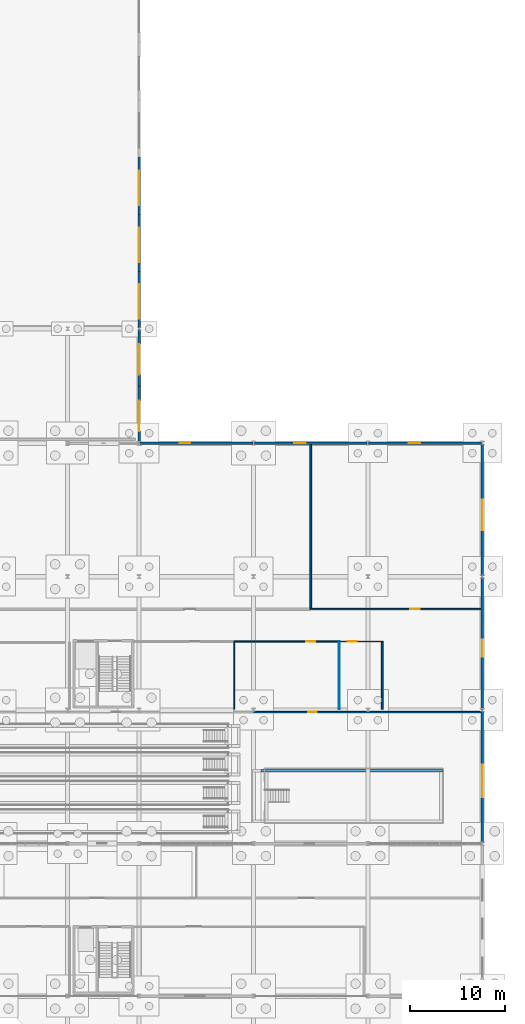
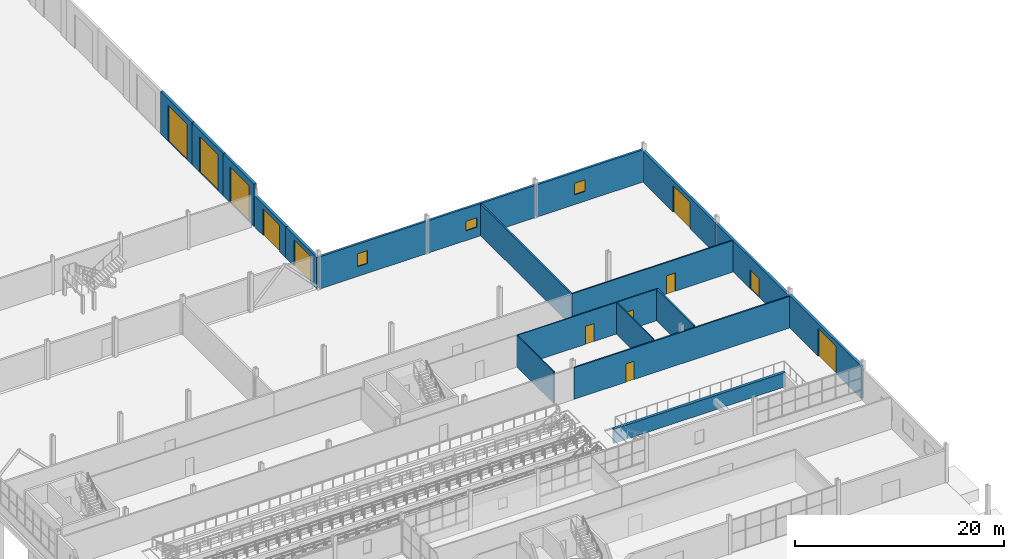
# One storey, part 116 of 136: 20 walls, 12 doors, 3 windows, 15 openings.
"""IFC4 building model written with IfcOpenShell, lengths in metres."""

from ifc_helpers import new_model, si_unit, direction, frame, frame_2d, origin, place, context, subcontext, project, spatial, rectangle, extrude, material, layer, layer_set, type_object, element, fill, save


model = new_model("IFC4")

# Units and contexts
model_context = context("Model", 3, precision=1e-05, world=origin(), true_north=direction((0.0, 1.0)))
body_context = subcontext(model_context, "Body", "Model", "MODEL_VIEW")
ifc_project = project(units=[si_unit("LENGTHUNIT", "METRE"), si_unit("AREAUNIT", "SQUARE_METRE"), si_unit("VOLUMEUNIT", "CUBIC_METRE"), si_unit("PLANEANGLEUNIT", "RADIAN"), si_unit("MASSUNIT", "GRAM", prefix="KILO")], contexts=[model_context])

# Site, building, storey
site_placement = place(None, origin())
site = spatial("IfcSite", under=ifc_project, at=site_placement, CompositionType="ELEMENT")
building_placement = place(site_placement, origin())
building = spatial("IfcBuilding", under=site, at=building_placement, Name="Solvenia Promenade Tram Depot", CompositionType="ELEMENT")
storey_placement = place(building_placement, origin())
storey = spatial("IfcBuildingStorey", under=building, at=storey_placement, Name="L00", CompositionType="ELEMENT", Elevation=0.0)

# Wall
ifc_material_1 = material(Name="Concrete blockwork masonry", Category="masonry")
ifc_layer_1 = layer(ifc_material_1, 0.195068359375, Name="Concrete blockwork masonry", Category="masonry")
ifc_layer_set_1 = layer_set([ifc_layer_1], Name="Concrete blockwork masonry")
wall_type_1 = type_object("IfcWallType", Name="Wall-Fire-195", PredefinedType="PARTITIONING", material=ifc_layer_set_1)
wall_1_placement = place(storey_placement, frame((168.0, 48.60009765625, 0.0), z_axis=(0.0, 0.0, 1.0), x_axis=(0.0, 1.0, 0.0)))
element("IfcWall", 1, at=wall_1_placement, inside=storey, type_object=wall_type_1, Name="Heavy Parts Store Dividing Wall WP-L00-017", PredefinedType="PARTITIONING", context=body_context, shape_type="SweptSolid", body=[
    extrude(rectangle(XDim=17.31982421875, YDim=0.195068359375, at=frame_2d((8.659912109375, 0.0))), origin(), (0.0, 0.0, 1.0), 3.699951171875),
])

# Wall, opening, door
ifc_layer_2 = layer(ifc_material_1, 0.14501953125, Name="Concrete blockwork masonry", Category="masonry")
ifc_layer_set_2 = layer_set([ifc_layer_2], Name="Concrete blockwork masonry")
wall_type_2 = type_object("IfcWallType", Name="Wall-Masonry-145", PredefinedType="PARTITIONING", material=ifc_layer_set_2)
wall_2_placement = place(storey_placement, frame((168.0, 48.60009765625, 0.0), z_axis=(0.0, 0.0, 1.0), x_axis=(1.0, 0.0, 0.0)))
wall_2 = element("IfcWall", 2, at=wall_2_placement, inside=storey, type_object=wall_type_2, Name="Covered Loading Dock Partition WP-L00-018", PredefinedType="PARTITIONING", context=body_context, shape_type="SweptSolid", body=[
    extrude(rectangle(XDim=17.840087890625, YDim=0.14501953125, at=frame_2d((8.919921875, 0.0))), origin(), (0.0, 0.0, 1.0), 3.699951171875),
])
opening_1_placement = place(wall_2_placement, frame((10.44091796875, 0.0, 0.0)))
opening_1 = element("IfcOpeningElement", 3, at=opening_1_placement, cuts=wall_2, Name="Opening DR-11", PredefinedType="OPENING", context=body_context, shape_type="SweptSolid", body=[
    extrude(rectangle(XDim=1.0, YDim=2.139892578125, at=frame_2d((0.5, 1.06982421875))), frame((0.0, 0.08251953125, 0.0), z_axis=(0.0, -1.0, 0.0), x_axis=(1.0, 0.0, 0.0)), (0.0, 0.0, 1.0), 0.1650390625),
])
ifc_material_2 = material(Name="Galvanized painted sheet steel", Category="steel")
door_type_1 = type_object("IfcDoorType", Name="Door-Room-1000x2140", OperationType="NOTDEFINED", PredefinedType="DOOR", material=ifc_material_2)
door_1_placement = place(opening_1_placement, origin())
door_1 = element("IfcDoor", 4, at=door_1_placement, inside=storey, type_object=door_type_1, Name="Door to Covered Loading Dock", OperationType="SINGLE_SWING_LEFT", OverallHeight=2.139892578125, OverallWidth=1.0, PredefinedType="DOOR", context=body_context, shape_type="SweptSolid", body=[
    extrude(rectangle(XDim=1.0, YDim=2.139892578125, at=frame_2d((0.5, 1.06982421875))), frame((0.0, 0.02490234375, 0.0), z_axis=(0.0, -1.0, 0.0), x_axis=(1.0, 0.0, 0.0)), (0.0, 0.0, 1.0), 0.050048828125),
])
fill(opening_1, door_1)

ifc_layer_3 = layer(ifc_material_1, 0.152099609375, Name="Concrete blockwork masonry", Category="masonry")
ifc_layer_set_3 = layer_set([ifc_layer_3], Name="Concrete blockwork masonry")
wall_type_3 = type_object("IfcWallType", Name="Wall-Masonry-152", PredefinedType="PARTITIONING", material=ifc_layer_set_3)
wall_3_placement = place(storey_placement, frame((162.0, 37.800048828125, 0.0), z_axis=(0.0, 0.0, 1.0), x_axis=(1.0, 0.0, 0.0)))
wall_3 = element("IfcWall", 5, at=wall_3_placement, inside=storey, type_object=wall_type_3, Name="Underfloor Wheel Lathe Bay Partition WP-L00-005", PredefinedType="PARTITIONING", context=body_context, shape_type="SweptSolid", body=[
    extrude(rectangle(XDim=23.840087890625, YDim=0.152099609375, at=frame_2d((11.919921875, 0.0))), origin(), (0.0, 0.0, 1.0), 3.699951171875),
])
opening_2_placement = place(wall_3_placement, frame((5.735107421875, 0.0, 0.0)))
opening_2 = element("IfcOpeningElement", 6, at=opening_2_placement, cuts=wall_3, Name="Opening DR-04", PredefinedType="OPENING", context=body_context, shape_type="SweptSolid", body=[
    extrude(rectangle(XDim=0.89990234375, YDim=2.139892578125, at=frame_2d((0.449951171875, 1.06982421875))), frame((0.0, 0.0859375, 0.0), z_axis=(0.0, -1.0, 0.0), x_axis=(1.0, 0.0, 0.0)), (0.0, 0.0, 1.0), 0.172119140625),
])
door_type_2 = type_object("IfcDoorType", Name="Door-Room-900x2140", OperationType="NOTDEFINED", PredefinedType="DOOR", material=ifc_material_2)
door_2_placement = place(opening_2_placement, origin())
door_2 = element("IfcDoor", 7, at=door_2_placement, inside=storey, type_object=door_type_2, Name="Door to Underfloor Wheel Lathe Bay", OperationType="SINGLE_SWING_RIGHT", OverallHeight=2.139892578125, OverallWidth=0.89990234375, PredefinedType="DOOR", context=body_context, shape_type="SweptSolid", body=[
    extrude(rectangle(XDim=0.89990234375, YDim=2.139892578125, at=frame_2d((0.449951171875, 1.06982421875))), frame((0.0, 0.02490234375, 0.0), z_axis=(0.0, -1.0, 0.0), x_axis=(1.0, 0.0, 0.0)), (0.0, 0.0, 1.0), 0.050048828125),
])
fill(opening_2, door_2)

# Walls
ifc_layer_4 = layer(ifc_material_1, 0.175048828125, Name="Concrete blockwork masonry", Category="masonry")
ifc_layer_set_4 = layer_set([ifc_layer_4], Name="Concrete blockwork masonry")
wall_type_4 = type_object("IfcWallType", Name="Wall-Masonry-175", PredefinedType="PARTITIONING", material=ifc_layer_set_4)
wall_4_placement = place(storey_placement, frame((175.5, 38.080078125, 0.0), z_axis=(0.0, 0.0, 1.0), x_axis=(0.0, 1.0, 0.0)))
element("IfcWall", 8, at=wall_4_placement, inside=storey, type_object=wall_type_4, Name="Workshop Accessible WC Dividing Wall WP-L00-013", PredefinedType="PARTITIONING", context=body_context, shape_type="SweptSolid", body=[
    extrude(rectangle(XDim=7.119873046875, YDim=0.175048828125, at=frame_2d((3.56005859375, 0.0))), origin(), (0.0, 0.0, 1.0), 3.699951171875),
])
ifc_material_3 = material(Name="Gypsum board acoustic partition", Category="other")
ifc_layer_5 = layer(ifc_material_3, 0.114013671875, Name="Gypsum board acoustic partition", Category="other")
ifc_layer_set_5 = layer_set([ifc_layer_5], Name="Gypsum board acoustic partition")
wall_type_5 = type_object("IfcWallType", Name="Wall-Part-114", PredefinedType="PARTITIONING", material=ifc_layer_set_5)
wall_5_placement = place(storey_placement, frame((160.0, 38.080078125, 0.0), z_axis=(0.0, 0.0, 1.0), x_axis=(0.0, 1.0, 0.0)))
element("IfcWall", 9, at=wall_5_placement, inside=storey, type_object=wall_type_5, Name="Workshop Male Staff WC Dividing Wall WP-L00-009", PredefinedType="PARTITIONING", context=body_context, shape_type="SweptSolid", body=[
    extrude(rectangle(XDim=7.119873046875, YDim=0.114013671875, at=frame_2d((3.56005859375, 0.0))), origin(), (0.0, 0.0, 1.0), 3.699951171875),
])

# Wall, opening, door
wall_6_placement = place(storey_placement, frame((160.0, 45.199951171875, 0.0), z_axis=(0.0, 0.0, 1.0), x_axis=(1.0, 0.0, 0.0)))
wall_6 = element("IfcWall", 10, at=wall_6_placement, inside=storey, type_object=wall_type_5, Name="Workshop Female Staff WC Partition WP-L00-010", PredefinedType="PARTITIONING", context=body_context, shape_type="SweptSolid", body=[
    extrude(rectangle(XDim=11.0, YDim=0.114013671875, at=frame_2d((5.5, 0.0))), origin(), (0.0, 0.0, 1.0), 3.699951171875),
])
opening_3_placement = place(wall_6_placement, frame((7.530029296875, 0.0, 0.0)))
opening_3 = element("IfcOpeningElement", 11, at=opening_3_placement, cuts=wall_6, Name="Opening DR-07", PredefinedType="OPENING", context=body_context, shape_type="SweptSolid", body=[
    extrude(rectangle(XDim=0.9599609375, YDim=2.10009765625, at=frame_2d((0.47998046875, 1.050048828125))), frame((0.0, 0.06689453125, 0.0), z_axis=(0.0, -1.0, 0.0), x_axis=(1.0, 0.0, 0.0)), (0.0, 0.0, 1.0), 0.134033203125),
])
door_type_3 = type_object("IfcDoorType", Name="Door-Room-960x2100", OperationType="NOTDEFINED", PredefinedType="DOOR", material=ifc_material_2)
door_3_placement = place(opening_3_placement, origin())
door_3 = element("IfcDoor", 12, at=door_3_placement, inside=storey, type_object=door_type_3, Name="Door to Workshop Female Staff WC", OperationType="SINGLE_SWING_LEFT", OverallHeight=2.10009765625, OverallWidth=0.9599609375, PredefinedType="DOOR", context=body_context, shape_type="SweptSolid", body=[
    extrude(rectangle(XDim=0.9599609375, YDim=2.10009765625, at=frame_2d((0.47998046875, 1.050048828125))), frame((0.0, 0.02490234375, 0.0), z_axis=(0.0, -1.0, 0.0), x_axis=(1.0, 0.0, 0.0)), (0.0, 0.0, 1.0), 0.050048828125),
])
fill(opening_3, door_3)

# Wall
ifc_layer_6 = layer(ifc_material_3, 0.097900390625, Name="Gypsum board acoustic partition", Category="other")
ifc_layer_set_6 = layer_set([ifc_layer_6], Name="Gypsum board acoustic partition")
wall_type_6 = type_object("IfcWallType", Name="Wall-Part-98", PredefinedType="PARTITIONING", material=ifc_layer_set_6)
wall_7_placement = place(storey_placement, frame((171.0, 38.080078125, 0.0), z_axis=(0.0, 0.0, 1.0), x_axis=(0.0, 1.0, 0.0)))
element("IfcWall", 13, at=wall_7_placement, inside=storey, type_object=wall_type_6, Name="Workshop Female Staff WC Dividing Wall WP-L00-011", PredefinedType="PARTITIONING", context=body_context, shape_type="SweptSolid", body=[
    extrude(rectangle(XDim=7.119873046875, YDim=0.097900390625, at=frame_2d((3.56005859375, 0.0))), origin(), (0.0, 0.0, 1.0), 3.699951171875),
])

# Wall, opening, door
wall_8_placement = place(storey_placement, frame((171.0, 45.199951171875, 0.0), z_axis=(0.0, 0.0, 1.0), x_axis=(1.0, 0.0, 0.0)))
wall_8 = element("IfcWall", 14, at=wall_8_placement, inside=storey, type_object=wall_type_6, Name="Workshop Accessible WC Partition WP-L00-012", PredefinedType="PARTITIONING", context=body_context, shape_type="SweptSolid", body=[
    extrude(rectangle(XDim=4.5, YDim=0.097900390625, at=frame_2d((2.25, 0.0))), origin(), (0.0, 0.0, 1.0), 3.699951171875),
])
opening_4_placement = place(wall_8_placement, frame((0.885009765625, 0.0, 0.0)))
opening_4 = element("IfcOpeningElement", 15, at=opening_4_placement, cuts=wall_8, Name="Opening DR-08", PredefinedType="OPENING", context=body_context, shape_type="SweptSolid", body=[
    extrude(rectangle(XDim=0.9599609375, YDim=2.159912109375, at=frame_2d((0.47998046875, 1.080078125))), frame((0.0, 0.058837890625, 0.0), z_axis=(0.0, -1.0, 0.0), x_axis=(1.0, 0.0, 0.0)), (0.0, 0.0, 1.0), 0.117919921875),
])
door_type_4 = type_object("IfcDoorType", Name="Door-Room-960x2160", OperationType="NOTDEFINED", PredefinedType="DOOR", material=ifc_material_2)
door_4_placement = place(opening_4_placement, origin())
door_4 = element("IfcDoor", 16, at=door_4_placement, inside=storey, type_object=door_type_4, Name="Door to Workshop Accessible WC", OperationType="SINGLE_SWING_RIGHT", OverallHeight=2.159912109375, OverallWidth=0.9599609375, PredefinedType="DOOR", context=body_context, shape_type="SweptSolid", body=[
    extrude(rectangle(XDim=0.9599609375, YDim=2.159912109375, at=frame_2d((0.47998046875, 1.080078125))), frame((0.0, 0.02490234375, 0.0), z_axis=(0.0, -1.0, 0.0), x_axis=(1.0, 0.0, 0.0)), (0.0, 0.0, 1.0), 0.050048828125),
])
fill(opening_4, door_4)

# Wall
ifc_material_4 = material(Name="Concrete C35/45", Category="concrete")
ifc_layer_7 = layer(ifc_material_4, 0.300048828125, Name="Concrete C35/45", Category="concrete")
ifc_layer_set_7 = layer_set([ifc_layer_7], Name="Concrete C35/45")
wall_type_7 = type_object("IfcWallType", Name="Wall-Pit-300", PredefinedType="USERDEFINED", material=ifc_layer_set_7)
wall_9_placement = place(storey_placement, frame((162.800048828125, 31.64990234375, -1.675048828125), z_axis=(0.0, 0.0, 1.0), x_axis=(1.0, 0.0, 0.0)))
element("IfcWall", 17, at=wall_9_placement, inside=storey, type_object=wall_type_7, Name="Underfloor Wheel Lathe Bay Retaining Wall N", ObjectType="RETAINING WALL", PredefinedType="USERDEFINED", context=body_context, shape_type="SweptSolid", body=[
    extrude(rectangle(XDim=19.0, YDim=0.300048828125, at=frame_2d((9.5, 0.0))), origin(), (0.0, 0.0, 1.0), 1.675048828125),
])

# Wall, opening, door
ifc_layer_8 = layer(ifc_material_4, 0.280029296875, Name="Concrete C35/45", Category="concrete")
ifc_layer_set_8 = layer_set([ifc_layer_8], Name="Concrete C35/45")
wall_type_8 = type_object("IfcWallType", Name="Wall-Portal-280", PredefinedType="SOLIDWALL", material=ifc_layer_set_8)
wall_10_placement = place(storey_placement, frame((150.0, 66.080078125, 0.0), z_axis=(0.0, 0.0, 1.0), x_axis=(0.0, 1.0, 0.0)))
wall_10 = element("IfcWall", 18, at=wall_10_placement, inside=storey, type_object=wall_type_8, Name="East Track Bay 1 Portal Wall EW-L00-039", PredefinedType="SOLIDWALL", context=body_context, shape_type="SweptSolid", body=[
    extrude(rectangle(XDim=5.919921875, YDim=0.280029296875, at=frame_2d((2.9599609375, 0.0))), origin(), (0.0, 0.0, 1.0), 3.64990234375),
])
opening_5_placement = place(wall_10_placement, frame((1.179931640625, 0.0, 0.0)))
opening_5 = element("IfcOpeningElement", 19, at=opening_5_placement, cuts=wall_10, Name="Opening GT-E01", PredefinedType="OPENING", context=body_context, shape_type="SweptSolid", body=[
    extrude(rectangle(XDim=3.199951171875, YDim=3.10009765625, at=frame_2d((1.60009765625, 1.550048828125))), frame((0.0, 0.14990234375, 0.0), z_axis=(0.0, -1.0, 0.0), x_axis=(1.0, 0.0, 0.0)), (0.0, 0.0, 1.0), 0.300048828125),
])
door_type_5 = type_object("IfcDoorType", Name="Gate-Dock-3200x3400", OperationType="NOTDEFINED", PredefinedType="GATE", material=ifc_material_2)
door_5_placement = place(opening_5_placement, origin())
door_5 = element("IfcDoor", 20, at=door_5_placement, inside=storey, type_object=door_type_5, Name="Overhead Track Shutter Door E01", OperationType="ROLLINGUP", OverallHeight=3.10009765625, OverallWidth=3.199951171875, PredefinedType="GATE", context=body_context, shape_type="SweptSolid", body=[
    extrude(rectangle(XDim=3.199951171875, YDim=3.10009765625, at=frame_2d((1.60009765625, 1.550048828125))), frame((0.0, 0.02490234375, 0.0), z_axis=(0.0, -1.0, 0.0), x_axis=(1.0, 0.0, 0.0)), (0.0, 0.0, 1.0), 0.050048828125),
])
fill(opening_5, door_5)

wall_11_placement = place(storey_placement, frame((150.0, 72.0, 0.0), z_axis=(0.0, 0.0, 1.0), x_axis=(0.0, 1.0, 0.0)))
wall_11 = element("IfcWall", 21, at=wall_11_placement, inside=storey, type_object=wall_type_8, Name="East Track Bay 2 Portal Wall EW-L00-040", PredefinedType="SOLIDWALL", context=body_context, shape_type="SweptSolid", body=[
    extrude(rectangle(XDim=5.919921875, YDim=0.280029296875, at=frame_2d((2.9599609375, 0.0))), origin(), (0.0, 0.0, 1.0), 3.64990234375),
])
opening_6_placement = place(wall_11_placement, frame((1.179931640625, 0.0, 0.0)))
opening_6 = element("IfcOpeningElement", 22, at=opening_6_placement, cuts=wall_11, Name="Opening GT-E02", PredefinedType="OPENING", context=body_context, shape_type="SweptSolid", body=[
    extrude(rectangle(XDim=3.199951171875, YDim=3.10009765625, at=frame_2d((1.60009765625, 1.550048828125))), frame((0.0, 0.14990234375, 0.0), z_axis=(0.0, -1.0, 0.0), x_axis=(1.0, 0.0, 0.0)), (0.0, 0.0, 1.0), 0.300048828125),
])
door_6_placement = place(opening_6_placement, origin())
door_6 = element("IfcDoor", 23, at=door_6_placement, inside=storey, type_object=door_type_5, Name="Overhead Track Shutter Door E02", OperationType="ROLLINGUP", OverallHeight=3.10009765625, OverallWidth=3.199951171875, PredefinedType="GATE", context=body_context, shape_type="SweptSolid", body=[
    extrude(rectangle(XDim=3.199951171875, YDim=3.10009765625, at=frame_2d((1.60009765625, 1.550048828125))), frame((0.0, 0.02490234375, 0.0), z_axis=(0.0, -1.0, 0.0), x_axis=(1.0, 0.0, 0.0)), (0.0, 0.0, 1.0), 0.050048828125),
])
fill(opening_6, door_6)

wall_12_placement = place(storey_placement, frame((150.0, 78.080078125, 0.0), z_axis=(0.0, 0.0, 1.0), x_axis=(0.0, 1.0, 0.0)))
wall_12 = element("IfcWall", 24, at=wall_12_placement, inside=storey, type_object=wall_type_8, Name="East Track Bay 3 Portal Wall EW-L00-041", PredefinedType="SOLIDWALL", context=body_context, shape_type="SweptSolid", body=[
    extrude(rectangle(XDim=5.919921875, YDim=0.280029296875, at=frame_2d((2.9599609375, 0.0))), origin(), (0.0, 0.0, 1.0), 4.949951171875),
])
opening_7_placement = place(wall_12_placement, frame((0.97998046875, 0.0, 0.0)))
opening_7 = element("IfcOpeningElement", 25, at=opening_7_placement, cuts=wall_12, Name="Opening GT-E03", PredefinedType="OPENING", context=body_context, shape_type="SweptSolid", body=[
    extrude(rectangle(XDim=3.60009765625, YDim=4.199951171875, at=frame_2d((1.800048828125, 2.10009765625))), frame((0.0, 0.14990234375, 0.0), z_axis=(0.0, -1.0, 0.0), x_axis=(1.0, 0.0, 0.0)), (0.0, 0.0, 1.0), 0.300048828125),
])
door_type_6 = type_object("IfcDoorType", Name="Gate-Track-3600x4200", OperationType="NOTDEFINED", PredefinedType="GATE", material=ifc_material_2)
door_7_placement = place(opening_7_placement, origin())
door_7 = element("IfcDoor", 26, at=door_7_placement, inside=storey, type_object=door_type_6, Name="Overhead Track Shutter Door E03", OperationType="ROLLINGUP", OverallHeight=4.199951171875, OverallWidth=3.60009765625, PredefinedType="GATE", context=body_context, shape_type="SweptSolid", body=[
    extrude(rectangle(XDim=3.60009765625, YDim=4.199951171875, at=frame_2d((1.800048828125, 2.10009765625))), frame((0.0, 0.02490234375, 0.0), z_axis=(0.0, -1.0, 0.0), x_axis=(1.0, 0.0, 0.0)), (0.0, 0.0, 1.0), 0.050048828125),
])
fill(opening_7, door_7)

wall_13_placement = place(storey_placement, frame((150.0, 84.0, 0.0), z_axis=(0.0, 0.0, 1.0), x_axis=(0.0, 1.0, 0.0)))
wall_13 = element("IfcWall", 27, at=wall_13_placement, inside=storey, type_object=wall_type_8, Name="East Track Bay 4 Portal Wall EW-L00-042", PredefinedType="SOLIDWALL", context=body_context, shape_type="SweptSolid", body=[
    extrude(rectangle(XDim=6.0, YDim=0.280029296875, at=frame_2d((3.0, 0.0))), origin(), (0.0, 0.0, 1.0), 4.949951171875),
])
opening_8_placement = place(wall_13_placement, frame((0.97998046875, 0.0, 0.0)))
opening_8 = element("IfcOpeningElement", 28, at=opening_8_placement, cuts=wall_13, Name="Opening GT-E04", PredefinedType="OPENING", context=body_context, shape_type="SweptSolid", body=[
    extrude(rectangle(XDim=3.60009765625, YDim=4.199951171875, at=frame_2d((1.800048828125, 2.10009765625))), frame((0.0, 0.14990234375, 0.0), z_axis=(0.0, -1.0, 0.0), x_axis=(1.0, 0.0, 0.0)), (0.0, 0.0, 1.0), 0.300048828125),
])
door_8_placement = place(opening_8_placement, origin())
door_8 = element("IfcDoor", 29, at=door_8_placement, inside=storey, type_object=door_type_6, Name="Overhead Track Shutter Door E04", OperationType="ROLLINGUP", OverallHeight=4.199951171875, OverallWidth=3.60009765625, PredefinedType="GATE", context=body_context, shape_type="SweptSolid", body=[
    extrude(rectangle(XDim=3.60009765625, YDim=4.199951171875, at=frame_2d((1.800048828125, 2.10009765625))), frame((0.0, 0.02490234375, 0.0), z_axis=(0.0, -1.0, 0.0), x_axis=(1.0, 0.0, 0.0)), (0.0, 0.0, 1.0), 0.050048828125),
])
fill(opening_8, door_8)

wall_14_placement = place(storey_placement, frame((150.0, 90.0, 0.0), z_axis=(0.0, 0.0, 1.0), x_axis=(0.0, 1.0, 0.0)))
wall_14 = element("IfcWall", 30, at=wall_14_placement, inside=storey, type_object=wall_type_8, Name="East Track Bay 5 Portal Wall EW-L00-043", PredefinedType="SOLIDWALL", context=body_context, shape_type="SweptSolid", body=[
    extrude(rectangle(XDim=6.0, YDim=0.280029296875, at=frame_2d((3.0, 0.0))), origin(), (0.0, 0.0, 1.0), 4.949951171875),
])
opening_9_placement = place(wall_14_placement, frame((0.97998046875, 0.0, 0.0)))
opening_9 = element("IfcOpeningElement", 31, at=opening_9_placement, cuts=wall_14, Name="Opening GT-E05", PredefinedType="OPENING", context=body_context, shape_type="SweptSolid", body=[
    extrude(rectangle(XDim=3.60009765625, YDim=4.199951171875, at=frame_2d((1.800048828125, 2.10009765625))), frame((0.0, 0.14990234375, 0.0), z_axis=(0.0, -1.0, 0.0), x_axis=(1.0, 0.0, 0.0)), (0.0, 0.0, 1.0), 0.300048828125),
])
door_9_placement = place(opening_9_placement, origin())
door_9 = element("IfcDoor", 32, at=door_9_placement, inside=storey, type_object=door_type_6, Name="Overhead Track Shutter Door E05", OperationType="ROLLINGUP", OverallHeight=4.199951171875, OverallWidth=3.60009765625, PredefinedType="GATE", context=body_context, shape_type="SweptSolid", body=[
    extrude(rectangle(XDim=3.60009765625, YDim=4.199951171875, at=frame_2d((1.800048828125, 2.10009765625))), frame((0.0, 0.02490234375, 0.0), z_axis=(0.0, -1.0, 0.0), x_axis=(1.0, 0.0, 0.0)), (0.0, 0.0, 1.0), 0.050048828125),
])
fill(opening_9, door_9)

wall_15_placement = place(storey_placement, frame((186.0, 24.080078125, 0.0), z_axis=(0.0, 0.0, 1.0), x_axis=(0.0, 1.0, 0.0)))
wall_15 = element("IfcWall", 33, at=wall_15_placement, inside=storey, type_object=wall_type_8, Name="East Workshop Wall 1 EW-L00-058", PredefinedType="SOLIDWALL", context=body_context, shape_type="SweptSolid", body=[
    extrude(rectangle(XDim=13.83984375, YDim=0.280029296875, at=frame_2d((6.919921875, 0.0))), origin(), (0.0, 0.0, 1.0), 3.800048828125),
])
opening_10_placement = place(wall_15_placement, frame((4.800048828125, 0.0, 0.0)))
opening_10 = element("IfcOpeningElement", 34, at=opening_10_placement, cuts=wall_15, Name="Opening GT-3", PredefinedType="OPENING", context=body_context, shape_type="SweptSolid", body=[
    extrude(rectangle(XDim=3.39990234375, YDim=3.25, at=frame_2d((1.699951171875, 1.625))), frame((0.0, 0.14990234375, 0.0), z_axis=(0.0, -1.0, 0.0), x_axis=(1.0, 0.0, 0.0)), (0.0, 0.0, 1.0), 0.300048828125),
])
door_type_7 = type_object("IfcDoorType", Name="Gate-Maint-3400x3600", OperationType="NOTDEFINED", PredefinedType="GATE", material=ifc_material_2)
door_10_placement = place(opening_10_placement, origin())
door_10 = element("IfcDoor", 35, at=door_10_placement, inside=storey, type_object=door_type_7, Name="Overhead Loading and Lathe Shutter 1", OperationType="ROLLINGUP", OverallHeight=3.25, OverallWidth=3.39990234375, PredefinedType="GATE", context=body_context, shape_type="SweptSolid", body=[
    extrude(rectangle(XDim=3.39990234375, YDim=3.25, at=frame_2d((1.699951171875, 1.625))), frame((0.0, 0.02490234375, 0.0), z_axis=(0.0, -1.0, 0.0), x_axis=(1.0, 0.0, 0.0)), (0.0, 0.0, 1.0), 0.050048828125),
])
fill(opening_10, door_10)

wall_16_placement = place(storey_placement, frame((186.0, 38.080078125, 0.0), z_axis=(0.0, 0.0, 1.0), x_axis=(0.0, 1.0, 0.0)))
wall_16 = element("IfcWall", 36, at=wall_16_placement, inside=storey, type_object=wall_type_8, Name="East Workshop Wall 2 EW-L00-059", PredefinedType="SOLIDWALL", context=body_context, shape_type="SweptSolid", body=[
    extrude(rectangle(XDim=13.83984375, YDim=0.280029296875, at=frame_2d((6.919921875, 0.0))), origin(), (0.0, 0.0, 1.0), 3.633056640625),
])
opening_11_placement = place(wall_16_placement, frame((5.5, 0.0, 0.0)))
opening_11 = element("IfcOpeningElement", 37, at=opening_11_placement, cuts=wall_16, Name="Opening ED-04", PredefinedType="OPENING", context=body_context, shape_type="SweptSolid", body=[
    extrude(rectangle(XDim=1.800048828125, YDim=2.199951171875, at=frame_2d((0.89990234375, 1.10009765625))), frame((0.0, 0.14990234375, 0.0), z_axis=(0.0, -1.0, 0.0), x_axis=(1.0, 0.0, 0.0)), (0.0, 0.0, 1.0), 0.300048828125),
])
door_type_8 = type_object("IfcDoorType", Name="Door-Exit-1800x2200", OperationType="NOTDEFINED", PredefinedType="DOOR", material=ifc_material_2)
door_11_placement = place(opening_11_placement, frame((1.800048828125, 0.0, 0.0), z_axis=(0.0, 0.0, 1.0), x_axis=(-1.0, 0.0, 0.0)))
door_11 = element("IfcDoor", 38, at=door_11_placement, inside=storey, type_object=door_type_8, Name="Pedestrian Exit Door ED-04", OperationType="SINGLE_SWING_RIGHT", OverallHeight=2.199951171875, OverallWidth=1.800048828125, PredefinedType="DOOR", context=body_context, shape_type="SweptSolid", body=[
    extrude(rectangle(XDim=1.800048828125, YDim=2.199951171875, at=frame_2d((0.89990234375, 1.10009765625))), frame((0.0, 0.02490234375, 0.0), z_axis=(0.0, -1.0, 0.0), x_axis=(1.0, 0.0, 0.0)), (0.0, 0.0, 1.0), 0.050048828125),
])
fill(opening_11, door_11)

wall_17_placement = place(storey_placement, frame((186.0, 52.080078125, 0.0), z_axis=(0.0, 0.0, 1.0), x_axis=(0.0, 1.0, 0.0)))
wall_17 = element("IfcWall", 39, at=wall_17_placement, inside=storey, type_object=wall_type_8, Name="East Workshop Wall 3 EW-L00-060", PredefinedType="SOLIDWALL", context=body_context, shape_type="SweptSolid", body=[
    extrude(rectangle(XDim=13.83984375, YDim=0.280029296875, at=frame_2d((6.919921875, 0.0))), origin(), (0.0, 0.0, 1.0), 3.633056640625),
])
opening_12_placement = place(wall_17_placement, frame((4.800048828125, 0.0, 0.0)))
opening_12 = element("IfcOpeningElement", 40, at=opening_12_placement, cuts=wall_17, Name="Opening GT-5", PredefinedType="OPENING", context=body_context, shape_type="SweptSolid", body=[
    extrude(rectangle(XDim=3.199951171875, YDim=3.10009765625, at=frame_2d((1.60009765625, 1.550048828125))), frame((0.0, 0.14990234375, 0.0), z_axis=(0.0, -1.0, 0.0), x_axis=(1.0, 0.0, 0.0)), (0.0, 0.0, 1.0), 0.300048828125),
])
door_12_placement = place(opening_12_placement, origin())
door_12 = element("IfcDoor", 41, at=door_12_placement, inside=storey, type_object=door_type_5, Name="Overhead Loading and Lathe Shutter 3", OperationType="ROLLINGUP", OverallHeight=3.10009765625, OverallWidth=3.199951171875, PredefinedType="GATE", context=body_context, shape_type="SweptSolid", body=[
    extrude(rectangle(XDim=3.199951171875, YDim=3.10009765625, at=frame_2d((1.60009765625, 1.550048828125))), frame((0.0, 0.02490234375, 0.0), z_axis=(0.0, -1.0, 0.0), x_axis=(1.0, 0.0, 0.0)), (0.0, 0.0, 1.0), 0.050048828125),
])
fill(opening_12, door_12)

# Wall, opening, window
ifc_layer_9 = layer(ifc_material_4, 0.239990234375, Name="Concrete C35/45", Category="concrete")
ifc_layer_set_9 = layer_set([ifc_layer_9], Name="Concrete C35/45")
wall_type_9 = type_object("IfcWallType", Name="Wall-Spandrel-240", PredefinedType="SOLIDWALL", material=ifc_layer_set_9)
wall_18_placement = place(storey_placement, frame((150.080078125, 66.0, 0.0), z_axis=(0.0, 0.0, 1.0), x_axis=(1.0, 0.0, 0.0)))
wall_18 = element("IfcWall", 42, at=wall_18_placement, inside=storey, type_object=wall_type_9, Name="North East Workshop Wall EW-L00-061", PredefinedType="SOLIDWALL", context=body_context, shape_type="SweptSolid", body=[
    extrude(rectangle(XDim=11.83984375, YDim=0.239990234375, at=frame_2d((5.919921875, 0.0))), origin(), (0.0, 0.0, 1.0), 3.784912109375),
])
opening_13_placement = place(wall_18_placement, frame((4.199951171875, 0.0, 1.14990234375)))
opening_13 = element("IfcOpeningElement", 43, at=opening_13_placement, cuts=wall_18, Name="Opening WN-05", PredefinedType="OPENING", context=body_context, shape_type="SweptSolid", body=[
    extrude(rectangle(XDim=1.10009765625, YDim=1.5, at=frame_2d((0.550048828125, 0.75))), frame((0.0, 0.1298828125, 0.0), z_axis=(0.0, -1.0, 0.0), x_axis=(1.0, 0.0, 0.0)), (0.0, 0.0, 1.0), 0.260009765625),
])
ifc_material_5 = material(Name="Double low-e argon insulated glass", Category="glass")
window_type_1 = type_object("IfcWindowType", Name="Win-1100x1500", PartitioningType="SINGLE_PANEL", PredefinedType="WINDOW", material=ifc_material_5)
window_1_placement = place(opening_13_placement, origin())
window_1 = element("IfcWindow", 44, at=window_1_placement, inside=storey, type_object=window_type_1, Name="North Workshop Window 005", OverallHeight=1.5, OverallWidth=1.10009765625, PartitioningType="SINGLE_PANEL", PredefinedType="WINDOW", context=body_context, shape_type="SweptSolid", body=[
    extrude(rectangle(XDim=1.10009765625, YDim=1.5, at=frame_2d((0.550048828125, 0.75))), frame((0.0, 0.030029296875, 0.0), z_axis=(0.0, -1.0, 0.0), x_axis=(1.0, 0.0, 0.0)), (0.0, 0.0, 1.0), 0.06005859375),
])
fill(opening_13, window_1)

wall_19_placement = place(storey_placement, frame((162.080078125, 66.0, 0.0), z_axis=(0.0, 0.0, 1.0), x_axis=(1.0, 0.0, 0.0)))
wall_19 = element("IfcWall", 45, at=wall_19_placement, inside=storey, type_object=wall_type_9, Name="North East Workshop Wall EW-L00-062", PredefinedType="SOLIDWALL", context=body_context, shape_type="SweptSolid", body=[
    extrude(rectangle(XDim=11.83984375, YDim=0.239990234375, at=frame_2d((5.919921875, 0.0))), origin(), (0.0, 0.0, 1.0), 3.784912109375),
])
opening_14_placement = place(wall_19_placement, frame((4.199951171875, 0.0, 1.14990234375)))
opening_14 = element("IfcOpeningElement", 46, at=opening_14_placement, cuts=wall_19, Name="Opening WN-06", PredefinedType="OPENING", context=body_context, shape_type="SweptSolid", body=[
    extrude(rectangle(XDim=1.199951171875, YDim=1.10009765625, at=frame_2d((0.60009765625, 0.550048828125))), frame((0.0, 0.1298828125, 0.0), z_axis=(0.0, -1.0, 0.0), x_axis=(1.0, 0.0, 0.0)), (0.0, 0.0, 1.0), 0.260009765625),
])
window_type_2 = type_object("IfcWindowType", Name="Win-1200x1100", PartitioningType="SINGLE_PANEL", PredefinedType="WINDOW", material=ifc_material_5)
window_2_placement = place(opening_14_placement, origin())
window_2 = element("IfcWindow", 47, at=window_2_placement, inside=storey, type_object=window_type_2, Name="North Workshop Window 006", OverallHeight=1.10009765625, OverallWidth=1.199951171875, PartitioningType="SINGLE_PANEL", PredefinedType="WINDOW", context=body_context, shape_type="SweptSolid", body=[
    extrude(rectangle(XDim=1.199951171875, YDim=1.10009765625, at=frame_2d((0.60009765625, 0.550048828125))), frame((0.0, 0.030029296875, 0.0), z_axis=(0.0, -1.0, 0.0), x_axis=(1.0, 0.0, 0.0)), (0.0, 0.0, 1.0), 0.06005859375),
])
fill(opening_14, window_2)

wall_20_placement = place(storey_placement, frame((174.080078125, 66.0, 0.0), z_axis=(0.0, 0.0, 1.0), x_axis=(1.0, 0.0, 0.0)))
wall_20 = element("IfcWall", 48, at=wall_20_placement, inside=storey, type_object=wall_type_9, Name="North East Workshop Wall EW-L00-063", PredefinedType="SOLIDWALL", context=body_context, shape_type="SweptSolid", body=[
    extrude(rectangle(XDim=11.83984375, YDim=0.239990234375, at=frame_2d((5.919921875, 0.0))), origin(), (0.0, 0.0, 1.0), 3.784912109375),
])
opening_15_placement = place(wall_20_placement, frame((4.199951171875, 0.0, 1.14990234375)))
opening_15 = element("IfcOpeningElement", 49, at=opening_15_placement, cuts=wall_20, Name="Opening WN-07", PredefinedType="OPENING", context=body_context, shape_type="SweptSolid", body=[
    extrude(rectangle(XDim=1.199951171875, YDim=1.35009765625, at=frame_2d((0.60009765625, 0.675048828125))), frame((0.0, 0.1298828125, 0.0), z_axis=(0.0, -1.0, 0.0), x_axis=(1.0, 0.0, 0.0)), (0.0, 0.0, 1.0), 0.260009765625),
])
window_type_3 = type_object("IfcWindowType", Name="Win-1200x1350", PartitioningType="SINGLE_PANEL", PredefinedType="WINDOW", material=ifc_material_5)
window_3_placement = place(opening_15_placement, origin())
window_3 = element("IfcWindow", 50, at=window_3_placement, inside=storey, type_object=window_type_3, Name="North Workshop Window 007", OverallHeight=1.35009765625, OverallWidth=1.199951171875, PartitioningType="SINGLE_PANEL", PredefinedType="WINDOW", context=body_context, shape_type="SweptSolid", body=[
    extrude(rectangle(XDim=1.199951171875, YDim=1.35009765625, at=frame_2d((0.60009765625, 0.675048828125))), frame((0.0, 0.030029296875, 0.0), z_axis=(0.0, -1.0, 0.0), x_axis=(1.0, 0.0, 0.0)), (0.0, 0.0, 1.0), 0.06005859375),
])
fill(opening_15, window_3)

save(model, "model.ifc")
